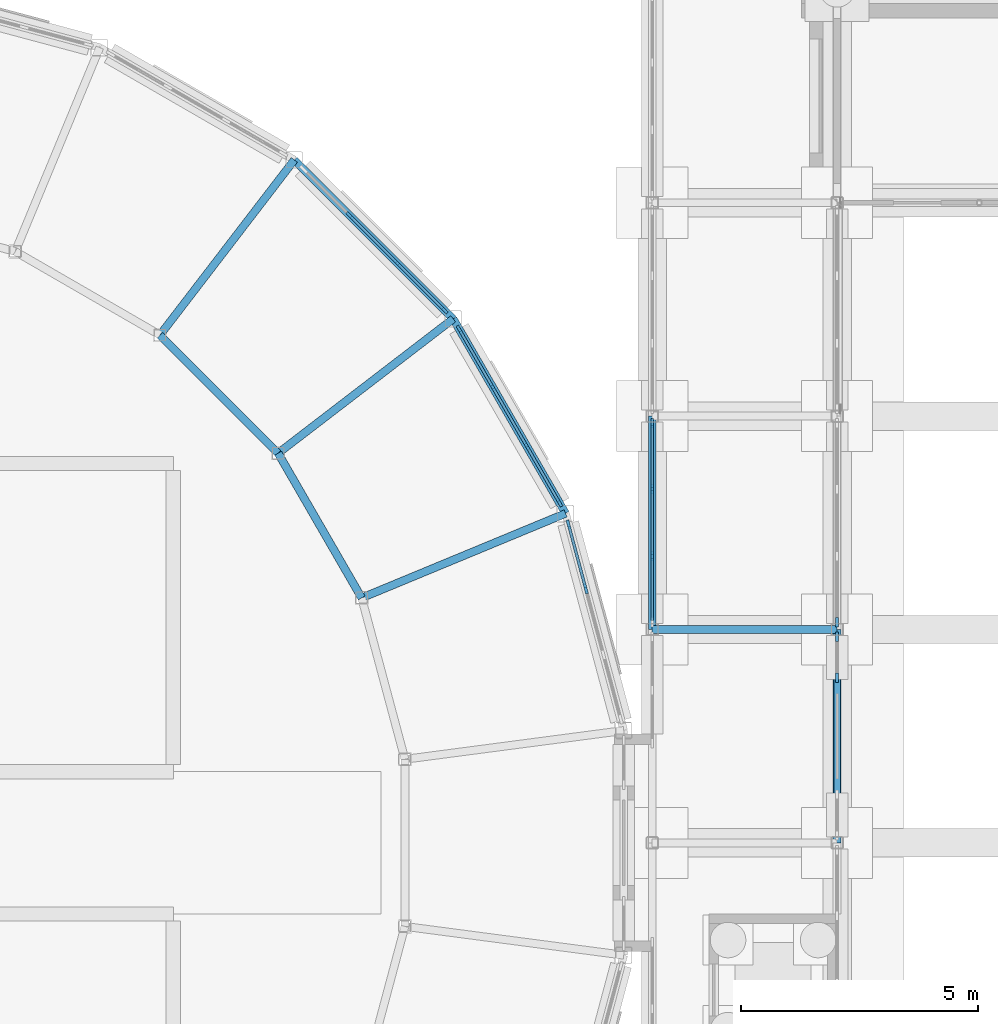
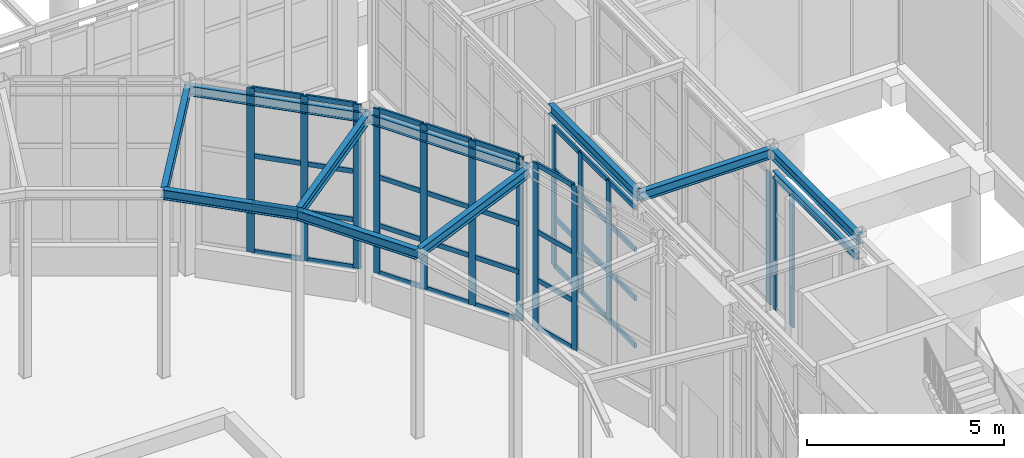
# One storey, part 44 of 106: 51 members, 11 beams, 6 elements without a shape of their own.
"""IFC4 building model written with IfcOpenShell, lengths in metres."""

import ifcopenshell
import ifcopenshell.guid

model = None  # the IFC model being written
_history = None  # IfcOwnerHistory: only IFC2X3 demands one
_inside = {}  # id of a spatial element -> (the spatial element, [elements in it])
_under = {}  # id of a project, library or spatial element -> (it, [spatial elements below it])
_declared = {}  # id of a project -> (the project, [libraries it declares])
_typed = {}  # id of a type object -> (the type object, [elements of that type])
_made_of = {}  # id of a material, layer set ... -> (it, [elements and type objects made of it])


def new_model(schema):
    """Start an empty IFC model of exactly this schema.

    Asked for "IFC4X3", IfcOpenShell would pick the latest addendum, in which some entities
    have other attributes; the version numbers below select the first issue.
    IFC2X3 requires an IfcOwnerHistory on every rooted entity: one is made here for all.
    """
    global model, _history
    if schema == "IFC4X3":
        model = ifcopenshell.file(schema_version=(4, 3, 0, 0))
    else:
        model = ifcopenshell.file(schema=schema)
    _inside.clear()
    _under.clear()
    _declared.clear()
    _typed.clear()
    _made_of.clear()
    _history = None
    if model.schema == "IFC2X3":
        org = make("IfcOrganization", Name="unknown")
        user = make(
            "IfcPersonAndOrganization",
            ThePerson=make("IfcPerson", FamilyName="unknown"),
            TheOrganization=org,
        )
        app = make(
            "IfcApplication",
            ApplicationDeveloper=org,
            Version="unknown",
            ApplicationFullName="unknown",
            ApplicationIdentifier="unknown",
        )
        _history = make(
            "IfcOwnerHistory",
            OwningUser=user,
            OwningApplication=app,
            ChangeAction="ADDED",
            CreationDate=0,
        )
    return model


def make(cls, **values):
    """One entity of the class cls with the attributes given. An attribute that is None is left unset."""
    return model.create_entity(
        cls, **{name: value for name, value in values.items() if value is not None}
    )


def rooted(cls, **values):
    """An entity with a GlobalId (a new one), such as an element, a storey or a relation."""
    return make(cls, GlobalId=ifcopenshell.guid.new(), OwnerHistory=_history, **values)


def si_unit(unit_type, name, prefix=None):
    """IfcSIUnit, for example si_unit("LENGTHUNIT", "METRE", prefix="MILLI")."""
    return make("IfcSIUnit", UnitType=unit_type, Prefix=prefix, Name=name)


def assignment(units):
    """IfcUnitAssignment: the units of a project."""
    return None if units is None else make("IfcUnitAssignment", Units=units)


def point(xyz):
    """IfcCartesianPoint."""
    return None if xyz is None else make("IfcCartesianPoint", Coordinates=xyz)


def direction(xyz):
    """IfcDirection."""
    return None if xyz is None else make("IfcDirection", DirectionRatios=xyz)


def frame(location, z_axis=None, x_axis=None):
    """IfcAxis2Placement3D, a coordinate frame: its origin and axes. An axis left out is left unset."""
    return make(
        "IfcAxis2Placement3D",
        Location=point(location),
        Axis=direction(z_axis),
        RefDirection=direction(x_axis),
    )


def frame_2d(location, x_axis=None):
    """IfcAxis2Placement2D, a coordinate frame in the plane: its origin and x axis."""
    return make(
        "IfcAxis2Placement2D", Location=point(location), RefDirection=direction(x_axis)
    )


def origin():
    """The frame at (0, 0, 0) with its axes left unset."""
    return frame((0.0, 0.0, 0.0))


def origin_2d():
    """The frame at (0, 0) in the plane with its x axis left unset."""
    return frame_2d((0.0, 0.0))


def place(relative_to, where):
    """IfcLocalPlacement: puts the frame where relative to a parent placement (None: the world)."""
    return make(
        "IfcLocalPlacement", PlacementRelTo=relative_to, RelativePlacement=where
    )


def context(
    kind, dimensions, precision=None, world=None, true_north=None, identifier=None
):
    """IfcGeometricRepresentationContext, for example the 3D "Model" context."""
    return make(
        "IfcGeometricRepresentationContext",
        ContextIdentifier=identifier,
        ContextType=kind,
        CoordinateSpaceDimension=dimensions,
        Precision=precision,
        WorldCoordinateSystem=world,
        TrueNorth=true_north,
    )


def subcontext(parent, identifier, kind, view, scale=None):
    """IfcGeometricRepresentationSubContext, for example "Body" below "Model"."""
    return make(
        "IfcGeometricRepresentationSubContext",
        ContextIdentifier=identifier,
        ContextType=kind,
        ParentContext=parent,
        TargetScale=scale,
        TargetView=view,
    )


def project(units=None, contexts=None):
    """IfcProject with its units and contexts."""
    return rooted(
        "IfcProject",
        Name="project",
        RepresentationContexts=contexts,
        UnitsInContext=assignment(units),
    )


def spatial(cls, under=None, at=None, **own):
    """A site, building, storey or space (cls), placed at a placement, below another one or the project."""
    s = rooted(cls, ObjectPlacement=at, **own)
    if under is not None:
        _under.setdefault(under.id(), (under, []))[1].append(s)
    return s


def profile(cls, at=None, kind="AREA", **sizes):
    """A parametric profile (cls). Its sizes go by their IFC names, for example OverallWidth=200.0."""
    return make(cls, ProfileType=kind, Position=at, **sizes)


def rectangle(**sizes):
    """IfcRectangleProfileDef."""
    return profile("IfcRectangleProfileDef", **sizes)


def i_section(**sizes):
    """IfcIShapeProfileDef."""
    return profile("IfcIShapeProfileDef", **sizes)


def extrude(swept, where, along, depth):
    """IfcExtrudedAreaSolid: the profile swept, set in the frame where, extruded along a direction by depth."""
    return make(
        "IfcExtrudedAreaSolid",
        SweptArea=swept,
        Position=where,
        ExtrudedDirection=direction(along),
        Depth=depth,
    )


def shape(context_of_items, identifier, shape_type, items):
    """IfcShapeRepresentation: the items that make up one representation, for example the "Body"."""
    return make(
        "IfcShapeRepresentation",
        ContextOfItems=context_of_items,
        RepresentationIdentifier=identifier,
        RepresentationType=shape_type,
        Items=items,
    )


def material(Name=None, Category=None):
    """IfcMaterial."""
    return make("IfcMaterial", Name=Name, Category=Category)


def layer(
    of_material, thickness, ventilated=None, Name=None, Category=None, Priority=None
):
    """IfcMaterialLayer: one layer of a wall or slab, of a material (None: an air gap)."""
    return make(
        "IfcMaterialLayer",
        Material=of_material,
        LayerThickness=thickness,
        IsVentilated=ventilated,
        Name=Name,
        Category=Category,
        Priority=Priority,
    )


def layer_set(layers, Name=None):
    """IfcMaterialLayerSet."""
    return make("IfcMaterialLayerSet", MaterialLayers=layers, LayerSetName=Name)


def material_profile(
    of_material, cross_section, Name=None, Category=None, Priority=None
):
    """IfcMaterialProfile: a cross section and its material."""
    return make(
        "IfcMaterialProfile",
        Name=Name,
        Material=of_material,
        Profile=cross_section,
        Priority=Priority,
        Category=Category,
    )


def profile_set(profiles, Name=None, composite=None):
    """IfcMaterialProfileSet."""
    return make(
        "IfcMaterialProfileSet",
        Name=Name,
        MaterialProfiles=profiles,
        CompositeProfile=composite,
    )


def made_of(thing, what):
    """Note that an element or type object is made of a material, layer set ...; save() writes the relation."""
    if what is not None:
        _made_of.setdefault(what.id(), (what, []))[1].append(thing)
    return thing


def type_object(cls, material=None, **own):
    """A type object (cls), such as IfcWallType, which elements share."""
    return made_of(rooted(cls, **own), material)


def element(
    cls,
    number,
    at=None,
    inside=None,
    cuts=None,
    type_object=None,
    material=None,
    context=None,
    identifier="Body",
    shape_type=None,
    held_by="IfcProductDefinitionShape",
    body=None,
    shapes=None,
    **own,
):
    """One element of the class cls, such as IfcWall. Its Tag is "e" and its number.

    at: its placement. inside: the storey or other place that contains it. cuts: it is an
    opening in that element (IfcRelVoidsElement). A single representation is given by context,
    identifier, shape_type and body (its items); several are given by shapes. held_by: the class
    of the entity that holds the representations. save() writes the other relations.
    """
    e = rooted(cls, Tag="e%d" % number, ObjectPlacement=at, **own)
    if body is not None:
        shapes = [shape(context, identifier, shape_type, body)]
    if shapes is not None:
        e.Representation = make(held_by, Representations=shapes)
    if inside is not None:
        _inside.setdefault(inside.id(), (inside, []))[1].append(e)
    if cuts is not None:
        rooted(
            "IfcRelVoidsElement", RelatingBuildingElement=cuts, RelatedOpeningElement=e
        )
    if type_object is not None:
        _typed.setdefault(type_object.id(), (type_object, []))[1].append(e)
    return made_of(e, material)


def aggregate(whole, parts):
    """IfcRelAggregates: a whole, such as a stair, and the parts it consists of."""
    return rooted("IfcRelAggregates", RelatingObject=whole, RelatedObjects=parts)


def save(model, path):
    """Write the relations noted so far, then the file.

    IfcRelAggregates (storeys below a building ...), IfcRelContainedInSpatialStructure (elements
    in a storey), IfcRelDefinesByType, IfcRelAssociatesMaterial and IfcRelDeclares: one each for
    every whole, place, type object, material and project.
    """
    for whole, parts in _under.values():
        aggregate(whole, parts)
    for where, things in _inside.values():
        rooted(
            "IfcRelContainedInSpatialStructure",
            RelatedElements=things,
            RelatingStructure=where,
        )
    for kind, things in _typed.values():
        rooted("IfcRelDefinesByType", RelatedObjects=things, RelatingType=kind)
    for what, things in _made_of.values():
        rooted("IfcRelAssociatesMaterial", RelatedObjects=things, RelatingMaterial=what)
    for by, libraries in _declared.values():
        rooted("IfcRelDeclares", RelatingContext=by, RelatedDefinitions=libraries)
    model.write(path)


model = new_model("IFC4")

# Units and contexts
model_context = context("Model", 3, precision=1e-05, world=origin(), true_north=direction((0.0, 1.0)))
body_context = subcontext(model_context, "Body", "Model", "MODEL_VIEW")
ifc_project = project(units=[si_unit("LENGTHUNIT", "METRE"), si_unit("AREAUNIT", "SQUARE_METRE"), si_unit("VOLUMEUNIT", "CUBIC_METRE"), si_unit("PLANEANGLEUNIT", "RADIAN"), si_unit("MASSUNIT", "GRAM", prefix="KILO")], contexts=[model_context])

# Site, building, storey
site_placement = place(None, origin())
site = spatial("IfcSite", under=ifc_project, at=site_placement, CompositionType="ELEMENT")
building_placement = place(site_placement, origin())
building = spatial("IfcBuilding", under=site, at=building_placement, Name="Hortulan Conservatory and Botanical Research Centre", CompositionType="ELEMENT")
storey_placement = place(building_placement, origin())
storey = spatial("IfcBuildingStorey", under=building, at=storey_placement, Name="L00", CompositionType="ELEMENT", Elevation=0.0)

# Curtain wall, members
ifc_material_1 = material(Name="Bronze-finished aluminium", Category="aluminium")
ifc_layer = layer(ifc_material_1, 0.10009765625)
ifc_layer_set = layer_set([ifc_layer], Name="Bronze-framed Curtain Wall 1500 module")
curtain_wall_type = type_object("IfcCurtainWallType", Name="Bronze-framed Curtain Wall 1500 module", PredefinedType="NOTDEFINED", material=ifc_layer_set)
curtain_wall_1_placement = place(storey_placement, origin())
curtain_wall_1 = element("IfcCurtainWall", 1, at=curtain_wall_1_placement, inside=storey, type_object=curtain_wall_type, Name="Curtain wall", PredefinedType="NOTDEFINED")
ifc_material_profile_1 = material_profile(ifc_material_1, rectangle(XDim=0.06005859375, YDim=0.199951171875, at=origin_2d()), Name="Bronze Mullion 60x200")
ifc_profile_set_1 = profile_set([ifc_material_profile_1], Name="Bronze-finished aluminium")
member_type_1 = type_object("IfcMemberType", Name="Bronze Mullion 60x200", PredefinedType="MULLION", material=ifc_profile_set_1)
member_1_placement = place(storey_placement, frame((70.83642578125, 24.7119140625, 0.89990234375), z_axis=(0.0, 0.0, 1.0), x_axis=(0.965922372015, 0.258831936284, 0.0)))
member_1 = element("IfcMember", 2, at=member_1_placement, type_object=member_type_1, Name="CW1 mullion 1", PredefinedType="MULLION", context=body_context, shape_type="SweptSolid", body=[
    extrude(rectangle(XDim=0.06005859375, YDim=0.199951171875, at=origin_2d()), origin(), (0.0, 0.0, 1.0), 5.10009765625),
])
member_2_placement = place(storey_placement, frame((71.20068359375, 23.35302734375, 0.89990234375), z_axis=(0.0, 0.0, 1.0), x_axis=(0.965922372015, 0.258831936284, 0.0)))
member_2 = element("IfcMember", 3, at=member_2_placement, type_object=member_type_1, Name="CW1 mullion 2", PredefinedType="MULLION", context=body_context, shape_type="SweptSolid", body=[
    extrude(rectangle(XDim=0.06005859375, YDim=0.199951171875, at=origin_2d()), origin(), (0.0, 0.0, 1.0), 5.10009765625),
])

curtain_wall_2_placement = place(storey_placement, origin())
curtain_wall_2 = element("IfcCurtainWall", 4, at=curtain_wall_2_placement, inside=storey, type_object=curtain_wall_type, Name="Curtain wall", PredefinedType="NOTDEFINED")
member_3_placement = place(storey_placement, frame((68.538330078125, 28.81884765625, 0.89990234375), z_axis=(0.0, 0.0, 1.0), x_axis=(0.866036280655, 0.499981160235, 0.0)))
member_3 = element("IfcMember", 5, at=member_3_placement, type_object=member_type_1, Name="CW1 mullion 1", PredefinedType="MULLION", context=body_context, shape_type="SweptSolid", body=[
    extrude(rectangle(XDim=0.06005859375, YDim=0.199951171875, at=origin_2d()), origin(), (0.0, 0.0, 1.0), 5.10009765625),
])
member_4_placement = place(storey_placement, frame((69.2333984375, 27.614990234375, 0.89990234375), z_axis=(0.0, 0.0, 1.0), x_axis=(0.866036280655, 0.499981160235, 0.0)))
member_4 = element("IfcMember", 6, at=member_4_placement, type_object=member_type_1, Name="CW1 mullion 2", PredefinedType="MULLION", context=body_context, shape_type="SweptSolid", body=[
    extrude(rectangle(XDim=0.06005859375, YDim=0.199951171875, at=origin_2d()), origin(), (0.0, 0.0, 1.0), 5.10009765625),
])
member_5_placement = place(storey_placement, frame((69.943603515625, 26.385009765625, 0.89990234375), z_axis=(0.0, 0.0, 1.0), x_axis=(0.866036280655, 0.499981160235, 0.0)))
member_5 = element("IfcMember", 7, at=member_5_placement, type_object=member_type_1, Name="CW1 mullion 3", PredefinedType="MULLION", context=body_context, shape_type="SweptSolid", body=[
    extrude(rectangle(XDim=0.06005859375, YDim=0.199951171875, at=origin_2d()), origin(), (0.0, 0.0, 1.0), 5.10009765625),
])
member_6_placement = place(storey_placement, frame((70.638671875, 25.18115234375, 0.89990234375), z_axis=(0.0, 0.0, 1.0), x_axis=(0.866036280655, 0.499981160235, 0.0)))
member_6 = element("IfcMember", 8, at=member_6_placement, type_object=member_type_1, Name="CW1 mullion 4", PredefinedType="MULLION", context=body_context, shape_type="SweptSolid", body=[
    extrude(rectangle(XDim=0.06005859375, YDim=0.199951171875, at=origin_2d()), origin(), (0.0, 0.0, 1.0), 5.10009765625),
])

curtain_wall_3_placement = place(storey_placement, origin())
curtain_wall_3 = element("IfcCurtainWall", 9, at=curtain_wall_3_placement, inside=storey, type_object=curtain_wall_type, Name="Curtain wall", PredefinedType="NOTDEFINED")
member_7_placement = place(storey_placement, frame((66.2275390625, 31.228271484375, 0.89990234375), z_axis=(0.0, 0.0, 1.0), x_axis=(0.707106781187, 0.707106781187, 0.0)))
member_7 = element("IfcMember", 10, at=member_7_placement, type_object=member_type_1, Name="CW1 mullion 2", PredefinedType="MULLION", context=body_context, shape_type="SweptSolid", body=[
    extrude(rectangle(XDim=0.06005859375, YDim=0.199951171875, at=origin_2d()), origin(), (0.0, 0.0, 1.0), 5.10009765625),
])
member_8_placement = place(storey_placement, frame((67.228271484375, 30.2275390625, 0.89990234375), z_axis=(0.0, 0.0, 1.0), x_axis=(0.707106781187, 0.707106781187, 0.0)))
member_8 = element("IfcMember", 11, at=member_8_placement, type_object=member_type_1, Name="CW1 mullion 3", PredefinedType="MULLION", context=body_context, shape_type="SweptSolid", body=[
    extrude(rectangle(XDim=0.06005859375, YDim=0.199951171875, at=origin_2d()), origin(), (0.0, 0.0, 1.0), 5.10009765625),
])
member_9_placement = place(storey_placement, frame((68.207763671875, 29.248291015625, 0.89990234375), z_axis=(0.0, 0.0, 1.0), x_axis=(0.707106781187, 0.707106781187, 0.0)))
member_9 = element("IfcMember", 12, at=member_9_placement, type_object=member_type_1, Name="CW1 mullion 4", PredefinedType="MULLION", context=body_context, shape_type="SweptSolid", body=[
    extrude(rectangle(XDim=0.06005859375, YDim=0.199951171875, at=origin_2d()), origin(), (0.0, 0.0, 1.0), 5.10009765625),
])

curtain_wall_4_placement = place(storey_placement, origin())
curtain_wall_4 = element("IfcCurtainWall", 13, at=curtain_wall_4_placement, inside=storey, type_object=curtain_wall_type, Name="Curtain wall", PredefinedType="NOTDEFINED")
member_10_placement = place(storey_placement, frame((72.60009765625, 24.041748046875, 0.89990234375), z_axis=(0.0, 0.0, 1.0), x_axis=(-1.0, 0.0, 0.0)))
member_10 = element("IfcMember", 14, at=member_10_placement, type_object=member_type_1, Name="CW1 mullion 2", PredefinedType="MULLION", context=body_context, shape_type="SweptSolid", body=[
    extrude(rectangle(XDim=0.06005859375, YDim=0.199951171875, at=origin_2d()), origin(), (0.0, 0.0, 1.0), 4.340087890625),
])
member_11_placement = place(storey_placement, frame((72.60009765625, 25.458251953125, 0.89990234375), z_axis=(0.0, 0.0, 1.0), x_axis=(-1.0, 0.0, 0.0)))
member_11 = element("IfcMember", 15, at=member_11_placement, type_object=member_type_1, Name="CW1 mullion 3", PredefinedType="MULLION", context=body_context, shape_type="SweptSolid", body=[
    extrude(rectangle(XDim=0.06005859375, YDim=0.199951171875, at=origin_2d()), origin(), (0.0, 0.0, 1.0), 4.340087890625),
])
member_12_placement = place(storey_placement, frame((72.60009765625, 26.844970703125, 0.89990234375), z_axis=(0.0, 0.0, 1.0), x_axis=(-1.0, 0.0, 0.0)))
member_12 = element("IfcMember", 16, at=member_12_placement, type_object=member_type_1, Name="CW1 mullion 4", PredefinedType="MULLION", context=body_context, shape_type="SweptSolid", body=[
    extrude(rectangle(XDim=0.06005859375, YDim=0.199951171875, at=origin_2d()), origin(), (0.0, 0.0, 1.0), 4.340087890625),
])

# Curtain wall, member
curtain_wall_5_placement = place(storey_placement, origin())
curtain_wall_5 = element("IfcCurtainWall", 17, at=curtain_wall_5_placement, inside=storey, type_object=curtain_wall_type, Name="Curtain wall", PredefinedType="NOTDEFINED")
member_13_placement = place(storey_placement, frame((76.5, 22.655029296875, 0.89990234375), z_axis=(0.0, 0.0, 1.0), x_axis=(1.0, 0.0, 0.0)))
member_13 = element("IfcMember", 18, at=member_13_placement, type_object=member_type_1, Name="CW1 mullion 4", PredefinedType="MULLION", context=body_context, shape_type="SweptSolid", body=[
    extrude(rectangle(XDim=0.06005859375, YDim=0.199951171875, at=origin_2d()), origin(), (0.0, 0.0, 1.0), 4.10009765625),
])
aggregate(curtain_wall_5, [member_13])

# Curtain wall, members
curtain_wall_6_placement = place(storey_placement, origin())
curtain_wall_6 = element("IfcCurtainWall", 19, at=curtain_wall_6_placement, inside=storey, type_object=curtain_wall_type, Name="Curtain wall", PredefinedType="NOTDEFINED")
member_14_placement = place(storey_placement, frame((76.5, 22.344970703125, 0.89990234375), z_axis=(0.0, 0.0, 1.0), x_axis=(1.0, 0.0, 0.0)))
member_14 = element("IfcMember", 20, at=member_14_placement, type_object=member_type_1, Name="CW1 mullion 1", PredefinedType="MULLION", context=body_context, shape_type="SweptSolid", body=[
    extrude(rectangle(XDim=0.06005859375, YDim=0.199951171875, at=origin_2d()), origin(), (0.0, 0.0, 1.0), 4.10009765625),
])
member_15_placement = place(storey_placement, frame((76.5, 21.47998046875, 0.89990234375), z_axis=(0.0, 0.0, 1.0), x_axis=(1.0, 0.0, 0.0)))
member_15 = element("IfcMember", 21, at=member_15_placement, type_object=member_type_1, Name="CW1 mullion 2", PredefinedType="MULLION", context=body_context, shape_type="SweptSolid", body=[
    extrude(rectangle(XDim=0.06005859375, YDim=0.199951171875, at=origin_2d()), origin(), (0.0, 0.0, 1.0), 4.10009765625),
])
aggregate(curtain_wall_6, [member_14, member_15])

# Member
ifc_material_profile_2 = material_profile(ifc_material_1, rectangle(XDim=0.06005859375, YDim=0.14990234375, at=origin_2d()), Name="Bronze Transom 60x150")
ifc_profile_set_2 = profile_set([ifc_material_profile_2], Name="Bronze-finished aluminium")
member_type_2 = type_object("IfcMemberType", Name="Bronze Transom 60x150", PredefinedType="USERDEFINED", material=ifc_profile_set_2)
member_16_placement = place(storey_placement, frame((70.84423828125, 24.68310546875, 0.929931640625), z_axis=(0.258835745824, -0.965921351189, 0.0), x_axis=(0.965921351189, 0.258835745824, 0.0)))
member_16 = element("IfcMember", 22, at=member_16_placement, type_object=member_type_2, Name="CW1 transom 1.1", ObjectType="TRANSOM", PredefinedType="USERDEFINED", context=body_context, shape_type="SweptSolid", body=[
    extrude(rectangle(XDim=0.06005859375, YDim=0.14990234375, at=origin_2d()), origin(), (0.0, 0.0, 1.0), 1.346923828125),
])

member_17_placement = place(storey_placement, frame((70.84423828125, 24.68310546875, 2.39990234375), z_axis=(0.258835745824, -0.965921351189, 0.0), x_axis=(0.965921351189, 0.258835745824, 0.0)))
member_17 = element("IfcMember", 23, at=member_17_placement, type_object=member_type_2, Name="CW1 transom 1.2", ObjectType="TRANSOM", PredefinedType="USERDEFINED", context=body_context, shape_type="SweptSolid", body=[
    extrude(rectangle(XDim=0.06005859375, YDim=0.14990234375, at=origin_2d()), origin(), (0.0, 0.0, 1.0), 1.346923828125),
])

member_18_placement = place(storey_placement, frame((70.84423828125, 24.68310546875, 3.89990234375), z_axis=(0.258835745824, -0.965921351189, 0.0), x_axis=(0.965921351189, 0.258835745824, 0.0)))
member_18 = element("IfcMember", 24, at=member_18_placement, type_object=member_type_2, Name="CW1 transom 1.3", ObjectType="TRANSOM", PredefinedType="USERDEFINED", context=body_context, shape_type="SweptSolid", body=[
    extrude(rectangle(XDim=0.06005859375, YDim=0.14990234375, at=origin_2d()), origin(), (0.0, 0.0, 1.0), 1.346923828125),
])

member_19_placement = place(storey_placement, frame((70.84423828125, 24.68310546875, 5.969970703125), z_axis=(0.258835745824, -0.965921351189, 0.0), x_axis=(0.965921351189, 0.258835745824, 0.0)))
member_19 = element("IfcMember", 25, at=member_19_placement, type_object=member_type_2, Name="CW1 transom 1.4", ObjectType="TRANSOM", PredefinedType="USERDEFINED", context=body_context, shape_type="SweptSolid", body=[
    extrude(rectangle(XDim=0.06005859375, YDim=0.14990234375, at=origin_2d()), origin(), (0.0, 0.0, 1.0), 1.346923828125),
])

aggregate(curtain_wall_1, [member_1, member_2, member_16, member_17, member_18, member_19])

member_20_placement = place(storey_placement, frame((68.553466796875, 28.79296875, 0.929931640625), z_axis=(0.499928984136, -0.866066400931, 0.0), x_axis=(0.866066400931, 0.499928984136, 0.0)))
member_20 = element("IfcMember", 26, at=member_20_placement, type_object=member_type_2, Name="CW1 transom 1.1", ObjectType="TRANSOM", PredefinedType="USERDEFINED", context=body_context, shape_type="SweptSolid", body=[
    extrude(rectangle(XDim=0.06005859375, YDim=0.14990234375, at=origin_2d()), origin(), (0.0, 0.0, 1.0), 1.330322265625),
])

member_21_placement = place(storey_placement, frame((68.553466796875, 28.79296875, 2.39990234375), z_axis=(0.499928984136, -0.866066400931, 0.0), x_axis=(0.866066400931, 0.499928984136, 0.0)))
member_21 = element("IfcMember", 27, at=member_21_placement, type_object=member_type_2, Name="CW1 transom 1.2", ObjectType="TRANSOM", PredefinedType="USERDEFINED", context=body_context, shape_type="SweptSolid", body=[
    extrude(rectangle(XDim=0.06005859375, YDim=0.14990234375, at=origin_2d()), origin(), (0.0, 0.0, 1.0), 1.330322265625),
])

member_22_placement = place(storey_placement, frame((68.553466796875, 28.79296875, 3.89990234375), z_axis=(0.499928984136, -0.866066400931, 0.0), x_axis=(0.866066400931, 0.499928984136, 0.0)))
member_22 = element("IfcMember", 28, at=member_22_placement, type_object=member_type_2, Name="CW1 transom 1.3", ObjectType="TRANSOM", PredefinedType="USERDEFINED", context=body_context, shape_type="SweptSolid", body=[
    extrude(rectangle(XDim=0.06005859375, YDim=0.14990234375, at=origin_2d()), origin(), (0.0, 0.0, 1.0), 1.330322265625),
])

member_23_placement = place(storey_placement, frame((68.553466796875, 28.79296875, 5.969970703125), z_axis=(0.499928984136, -0.866066400931, 0.0), x_axis=(0.866066400931, 0.499928984136, 0.0)))
member_23 = element("IfcMember", 29, at=member_23_placement, type_object=member_type_2, Name="CW1 transom 1.4", ObjectType="TRANSOM", PredefinedType="USERDEFINED", context=body_context, shape_type="SweptSolid", body=[
    extrude(rectangle(XDim=0.06005859375, YDim=0.14990234375, at=origin_2d()), origin(), (0.0, 0.0, 1.0), 1.330322265625),
])

member_24_placement = place(storey_placement, frame((69.24853515625, 27.5888671875, 0.929931640625), z_axis=(0.499981459473, -0.866036107898, 0.0), x_axis=(0.866036107898, 0.499981459473, 0.0)))
member_24 = element("IfcMember", 30, at=member_24_placement, type_object=member_type_2, Name="CW1 transom 2.1", ObjectType="TRANSOM", PredefinedType="USERDEFINED", context=body_context, shape_type="SweptSolid", body=[
    extrude(rectangle(XDim=0.06005859375, YDim=0.14990234375, at=origin_2d()), origin(), (0.0, 0.0, 1.0), 1.35986328125),
])

member_25_placement = place(storey_placement, frame((69.24853515625, 27.5888671875, 2.39990234375), z_axis=(0.499981459473, -0.866036107898, 0.0), x_axis=(0.866036107898, 0.499981459473, 0.0)))
member_25 = element("IfcMember", 31, at=member_25_placement, type_object=member_type_2, Name="CW1 transom 2.2", ObjectType="TRANSOM", PredefinedType="USERDEFINED", context=body_context, shape_type="SweptSolid", body=[
    extrude(rectangle(XDim=0.06005859375, YDim=0.14990234375, at=origin_2d()), origin(), (0.0, 0.0, 1.0), 1.35986328125),
])

member_26_placement = place(storey_placement, frame((69.24853515625, 27.5888671875, 3.89990234375), z_axis=(0.499981459473, -0.866036107898, 0.0), x_axis=(0.866036107898, 0.499981459473, 0.0)))
member_26 = element("IfcMember", 32, at=member_26_placement, type_object=member_type_2, Name="CW1 transom 2.3", ObjectType="TRANSOM", PredefinedType="USERDEFINED", context=body_context, shape_type="SweptSolid", body=[
    extrude(rectangle(XDim=0.06005859375, YDim=0.14990234375, at=origin_2d()), origin(), (0.0, 0.0, 1.0), 1.35986328125),
])

member_27_placement = place(storey_placement, frame((69.24853515625, 27.5888671875, 5.969970703125), z_axis=(0.499981459473, -0.866036107898, 0.0), x_axis=(0.866036107898, 0.499981459473, 0.0)))
member_27 = element("IfcMember", 33, at=member_27_placement, type_object=member_type_2, Name="CW1 transom 2.4", ObjectType="TRANSOM", PredefinedType="USERDEFINED", context=body_context, shape_type="SweptSolid", body=[
    extrude(rectangle(XDim=0.06005859375, YDim=0.14990234375, at=origin_2d()), origin(), (0.0, 0.0, 1.0), 1.35986328125),
])

member_28_placement = place(storey_placement, frame((69.95849609375, 26.359130859375, 0.929931640625), z_axis=(0.499928984136, -0.866066400931, 0.0), x_axis=(0.866066400931, 0.499928984136, 0.0)))
member_28 = element("IfcMember", 34, at=member_28_placement, type_object=member_type_2, Name="CW1 transom 3.1", ObjectType="TRANSOM", PredefinedType="USERDEFINED", context=body_context, shape_type="SweptSolid", body=[
    extrude(rectangle(XDim=0.06005859375, YDim=0.14990234375, at=origin_2d()), origin(), (0.0, 0.0, 1.0), 1.330322265625),
])

member_29_placement = place(storey_placement, frame((69.95849609375, 26.359130859375, 2.39990234375), z_axis=(0.499928984136, -0.866066400931, 0.0), x_axis=(0.866066400931, 0.499928984136, 0.0)))
member_29 = element("IfcMember", 35, at=member_29_placement, type_object=member_type_2, Name="CW1 transom 3.2", ObjectType="TRANSOM", PredefinedType="USERDEFINED", context=body_context, shape_type="SweptSolid", body=[
    extrude(rectangle(XDim=0.06005859375, YDim=0.14990234375, at=origin_2d()), origin(), (0.0, 0.0, 1.0), 1.330322265625),
])

member_30_placement = place(storey_placement, frame((69.95849609375, 26.359130859375, 3.89990234375), z_axis=(0.499928984136, -0.866066400931, 0.0), x_axis=(0.866066400931, 0.499928984136, 0.0)))
member_30 = element("IfcMember", 36, at=member_30_placement, type_object=member_type_2, Name="CW1 transom 3.3", ObjectType="TRANSOM", PredefinedType="USERDEFINED", context=body_context, shape_type="SweptSolid", body=[
    extrude(rectangle(XDim=0.06005859375, YDim=0.14990234375, at=origin_2d()), origin(), (0.0, 0.0, 1.0), 1.330322265625),
])

member_31_placement = place(storey_placement, frame((69.95849609375, 26.359130859375, 5.969970703125), z_axis=(0.499928984136, -0.866066400931, 0.0), x_axis=(0.866066400931, 0.499928984136, 0.0)))
member_31 = element("IfcMember", 37, at=member_31_placement, type_object=member_type_2, Name="CW1 transom 3.4", ObjectType="TRANSOM", PredefinedType="USERDEFINED", context=body_context, shape_type="SweptSolid", body=[
    extrude(rectangle(XDim=0.06005859375, YDim=0.14990234375, at=origin_2d()), origin(), (0.0, 0.0, 1.0), 1.330322265625),
])

aggregate(curtain_wall_2, [member_3, member_4, member_5, member_6, member_20, member_21, member_22, member_23, member_24, member_25, member_26, member_27, member_28, member_29, member_30, member_31])

member_32_placement = place(storey_placement, frame((66.248779296875, 31.20703125, 0.929931640625), z_axis=(0.707106781187, -0.707106781187, 0.0), x_axis=(0.707106781187, 0.707106781187, 0.0)))
member_32 = element("IfcMember", 38, at=member_32_placement, type_object=member_type_2, Name="CW1 transom 2.1", ObjectType="TRANSOM", PredefinedType="USERDEFINED", context=body_context, shape_type="SweptSolid", body=[
    extrude(rectangle(XDim=0.06005859375, YDim=0.14990234375, at=origin_2d()), origin(), (0.0, 0.0, 1.0), 1.355224609375),
])

member_33_placement = place(storey_placement, frame((66.248779296875, 31.20703125, 2.39990234375), z_axis=(0.707106781187, -0.707106781187, 0.0), x_axis=(0.707106781187, 0.707106781187, 0.0)))
member_33 = element("IfcMember", 39, at=member_33_placement, type_object=member_type_2, Name="CW1 transom 2.2", ObjectType="TRANSOM", PredefinedType="USERDEFINED", context=body_context, shape_type="SweptSolid", body=[
    extrude(rectangle(XDim=0.06005859375, YDim=0.14990234375, at=origin_2d()), origin(), (0.0, 0.0, 1.0), 1.355224609375),
])

member_34_placement = place(storey_placement, frame((66.248779296875, 31.20703125, 3.89990234375), z_axis=(0.707106781187, -0.707106781187, 0.0), x_axis=(0.707106781187, 0.707106781187, 0.0)))
member_34 = element("IfcMember", 40, at=member_34_placement, type_object=member_type_2, Name="CW1 transom 2.3", ObjectType="TRANSOM", PredefinedType="USERDEFINED", context=body_context, shape_type="SweptSolid", body=[
    extrude(rectangle(XDim=0.06005859375, YDim=0.14990234375, at=origin_2d()), origin(), (0.0, 0.0, 1.0), 1.355224609375),
])

member_35_placement = place(storey_placement, frame((66.248779296875, 31.20703125, 5.969970703125), z_axis=(0.707106781187, -0.707106781187, 0.0), x_axis=(0.707106781187, 0.707106781187, 0.0)))
member_35 = element("IfcMember", 41, at=member_35_placement, type_object=member_type_2, Name="CW1 transom 2.4", ObjectType="TRANSOM", PredefinedType="USERDEFINED", context=body_context, shape_type="SweptSolid", body=[
    extrude(rectangle(XDim=0.06005859375, YDim=0.14990234375, at=origin_2d()), origin(), (0.0, 0.0, 1.0), 1.355224609375),
])

member_36_placement = place(storey_placement, frame((67.24951171875, 30.206298828125, 0.929931640625), z_axis=(0.70719890636, -0.707014644009, 0.0), x_axis=(0.707014644009, 0.70719890636, 0.0)))
member_36 = element("IfcMember", 42, at=member_36_placement, type_object=member_type_2, Name="CW1 transom 3.1", ObjectType="TRANSOM", PredefinedType="USERDEFINED", context=body_context, shape_type="SweptSolid", body=[
    extrude(rectangle(XDim=0.06005859375, YDim=0.14990234375, at=origin_2d()), origin(), (0.0, 0.0, 1.0), 1.324951171875),
])

member_37_placement = place(storey_placement, frame((67.24951171875, 30.206298828125, 2.39990234375), z_axis=(0.70719890636, -0.707014644009, 0.0), x_axis=(0.707014644009, 0.70719890636, 0.0)))
member_37 = element("IfcMember", 43, at=member_37_placement, type_object=member_type_2, Name="CW1 transom 3.2", ObjectType="TRANSOM", PredefinedType="USERDEFINED", context=body_context, shape_type="SweptSolid", body=[
    extrude(rectangle(XDim=0.06005859375, YDim=0.14990234375, at=origin_2d()), origin(), (0.0, 0.0, 1.0), 1.324951171875),
])

member_38_placement = place(storey_placement, frame((67.24951171875, 30.206298828125, 3.89990234375), z_axis=(0.70719890636, -0.707014644009, 0.0), x_axis=(0.707014644009, 0.70719890636, 0.0)))
member_38 = element("IfcMember", 44, at=member_38_placement, type_object=member_type_2, Name="CW1 transom 3.3", ObjectType="TRANSOM", PredefinedType="USERDEFINED", context=body_context, shape_type="SweptSolid", body=[
    extrude(rectangle(XDim=0.06005859375, YDim=0.14990234375, at=origin_2d()), origin(), (0.0, 0.0, 1.0), 1.324951171875),
])

member_39_placement = place(storey_placement, frame((67.24951171875, 30.206298828125, 5.969970703125), z_axis=(0.70719890636, -0.707014644009, 0.0), x_axis=(0.707014644009, 0.70719890636, 0.0)))
member_39 = element("IfcMember", 45, at=member_39_placement, type_object=member_type_2, Name="CW1 transom 3.4", ObjectType="TRANSOM", PredefinedType="USERDEFINED", context=body_context, shape_type="SweptSolid", body=[
    extrude(rectangle(XDim=0.06005859375, YDim=0.14990234375, at=origin_2d()), origin(), (0.0, 0.0, 1.0), 1.324951171875),
])

aggregate(curtain_wall_3, [member_7, member_8, member_9, member_32, member_33, member_34, member_35, member_36, member_37, member_38, member_39])

member_40_placement = place(storey_placement, frame((72.60009765625, 22.68505859375, 0.929931640625), z_axis=(0.0, 1.0, 0.0), x_axis=(-1.0, 0.0, 0.0)))
member_40 = element("IfcMember", 46, at=member_40_placement, type_object=member_type_2, Name="CW1 transom 1.1", ObjectType="TRANSOM", PredefinedType="USERDEFINED", context=body_context, shape_type="SweptSolid", body=[
    extrude(rectangle(XDim=0.06005859375, YDim=0.14990234375, at=origin_2d()), origin(), (0.0, 0.0, 1.0), 1.32666015625),
])

member_41_placement = place(storey_placement, frame((72.60009765625, 22.68505859375, 2.39990234375), z_axis=(0.0, 1.0, 0.0), x_axis=(-1.0, 0.0, 0.0)))
member_41 = element("IfcMember", 47, at=member_41_placement, type_object=member_type_2, Name="CW1 transom 1.2", ObjectType="TRANSOM", PredefinedType="USERDEFINED", context=body_context, shape_type="SweptSolid", body=[
    extrude(rectangle(XDim=0.06005859375, YDim=0.14990234375, at=origin_2d()), origin(), (0.0, 0.0, 1.0), 1.32666015625),
])

member_42_placement = place(storey_placement, frame((72.60009765625, 22.68505859375, 3.89990234375), z_axis=(0.0, 1.0, 0.0), x_axis=(-1.0, 0.0, 0.0)))
member_42 = element("IfcMember", 48, at=member_42_placement, type_object=member_type_2, Name="CW1 transom 1.3", ObjectType="TRANSOM", PredefinedType="USERDEFINED", context=body_context, shape_type="SweptSolid", body=[
    extrude(rectangle(XDim=0.06005859375, YDim=0.14990234375, at=origin_2d()), origin(), (0.0, 0.0, 1.0), 1.32666015625),
])

member_43_placement = place(storey_placement, frame((72.60009765625, 22.68505859375, 5.2099609375), z_axis=(0.0, 1.0, 0.0), x_axis=(-1.0, 0.0, 0.0)))
member_43 = element("IfcMember", 49, at=member_43_placement, type_object=member_type_2, Name="CW1 transom 1.4", ObjectType="TRANSOM", PredefinedType="USERDEFINED", context=body_context, shape_type="SweptSolid", body=[
    extrude(rectangle(XDim=0.06005859375, YDim=0.14990234375, at=origin_2d()), origin(), (0.0, 0.0, 1.0), 1.32666015625),
])

member_44_placement = place(storey_placement, frame((72.60009765625, 24.07177734375, 0.929931640625), z_axis=(0.0, 1.0, 0.0), x_axis=(-1.0, 0.0, 0.0)))
member_44 = element("IfcMember", 50, at=member_44_placement, type_object=member_type_2, Name="CW1 transom 2.1", ObjectType="TRANSOM", PredefinedType="USERDEFINED", context=body_context, shape_type="SweptSolid", body=[
    extrude(rectangle(XDim=0.06005859375, YDim=0.14990234375, at=origin_2d()), origin(), (0.0, 0.0, 1.0), 1.3564453125),
])

member_45_placement = place(storey_placement, frame((72.60009765625, 24.07177734375, 2.39990234375), z_axis=(0.0, 1.0, 0.0), x_axis=(-1.0, 0.0, 0.0)))
member_45 = element("IfcMember", 51, at=member_45_placement, type_object=member_type_2, Name="CW1 transom 2.2", ObjectType="TRANSOM", PredefinedType="USERDEFINED", context=body_context, shape_type="SweptSolid", body=[
    extrude(rectangle(XDim=0.06005859375, YDim=0.14990234375, at=origin_2d()), origin(), (0.0, 0.0, 1.0), 1.3564453125),
])

member_46_placement = place(storey_placement, frame((72.60009765625, 24.07177734375, 3.89990234375), z_axis=(0.0, 1.0, 0.0), x_axis=(-1.0, 0.0, 0.0)))
member_46 = element("IfcMember", 52, at=member_46_placement, type_object=member_type_2, Name="CW1 transom 2.3", ObjectType="TRANSOM", PredefinedType="USERDEFINED", context=body_context, shape_type="SweptSolid", body=[
    extrude(rectangle(XDim=0.06005859375, YDim=0.14990234375, at=origin_2d()), origin(), (0.0, 0.0, 1.0), 1.3564453125),
])

member_47_placement = place(storey_placement, frame((72.60009765625, 24.07177734375, 5.2099609375), z_axis=(0.0, 1.0, 0.0), x_axis=(-1.0, 0.0, 0.0)))
member_47 = element("IfcMember", 53, at=member_47_placement, type_object=member_type_2, Name="CW1 transom 2.4", ObjectType="TRANSOM", PredefinedType="USERDEFINED", context=body_context, shape_type="SweptSolid", body=[
    extrude(rectangle(XDim=0.06005859375, YDim=0.14990234375, at=origin_2d()), origin(), (0.0, 0.0, 1.0), 1.3564453125),
])

member_48_placement = place(storey_placement, frame((72.60009765625, 25.48828125, 0.929931640625), z_axis=(0.0, 1.0, 0.0), x_axis=(-1.0, 0.0, 0.0)))
member_48 = element("IfcMember", 54, at=member_48_placement, type_object=member_type_2, Name="CW1 transom 3.1", ObjectType="TRANSOM", PredefinedType="USERDEFINED", context=body_context, shape_type="SweptSolid", body=[
    extrude(rectangle(XDim=0.06005859375, YDim=0.14990234375, at=origin_2d()), origin(), (0.0, 0.0, 1.0), 1.32666015625),
])

member_49_placement = place(storey_placement, frame((72.60009765625, 25.48828125, 2.39990234375), z_axis=(0.0, 1.0, 0.0), x_axis=(-1.0, 0.0, 0.0)))
member_49 = element("IfcMember", 55, at=member_49_placement, type_object=member_type_2, Name="CW1 transom 3.2", ObjectType="TRANSOM", PredefinedType="USERDEFINED", context=body_context, shape_type="SweptSolid", body=[
    extrude(rectangle(XDim=0.06005859375, YDim=0.14990234375, at=origin_2d()), origin(), (0.0, 0.0, 1.0), 1.32666015625),
])

member_50_placement = place(storey_placement, frame((72.60009765625, 25.48828125, 3.89990234375), z_axis=(0.0, 1.0, 0.0), x_axis=(-1.0, 0.0, 0.0)))
member_50 = element("IfcMember", 56, at=member_50_placement, type_object=member_type_2, Name="CW1 transom 3.3", ObjectType="TRANSOM", PredefinedType="USERDEFINED", context=body_context, shape_type="SweptSolid", body=[
    extrude(rectangle(XDim=0.06005859375, YDim=0.14990234375, at=origin_2d()), origin(), (0.0, 0.0, 1.0), 1.32666015625),
])

member_51_placement = place(storey_placement, frame((72.60009765625, 25.48828125, 5.2099609375), z_axis=(0.0, 1.0, 0.0), x_axis=(-1.0, 0.0, 0.0)))
member_51 = element("IfcMember", 57, at=member_51_placement, type_object=member_type_2, Name="CW1 transom 3.4", ObjectType="TRANSOM", PredefinedType="USERDEFINED", context=body_context, shape_type="SweptSolid", body=[
    extrude(rectangle(XDim=0.06005859375, YDim=0.14990234375, at=origin_2d()), origin(), (0.0, 0.0, 1.0), 1.32666015625),
])

aggregate(curtain_wall_4, [member_10, member_11, member_12, member_40, member_41, member_42, member_43, member_44, member_45, member_46, member_47, member_48, member_49, member_50, member_51])

# Beams
ifc_material_2 = material(Name="Steel Grade 300PLUS (AS/NZS 3679.1, 280 MPa minimum yield)", Category="steel")
ifc_material_profile_3 = material_profile(ifc_material_2, i_section(OverallWidth=0.134033203125, OverallDepth=0.20703125, WebThickness=0.00634765625, FlangeThickness=0.009521484375, FilletRadius=0.0087890625, at=origin_2d()), Name="200UB29.8")
ifc_profile_set_3 = profile_set([ifc_material_profile_3], Name="Steel Grade 300PLUS (AS/NZS 3679.1, 280 MPa minimum yield)")
beam_type_1 = type_object("IfcBeamType", Name="Climate House Eaves Beam 200UB29.8", PredefinedType="BEAM", material=ifc_profile_set_3)
beam_1_placement = place(storey_placement, frame((76.5, 18.125, 5.103515625), z_axis=(0.0, 1.0, 0.0), x_axis=(-1.0, 0.0, 0.0)))
element("IfcBeam", 58, at=beam_1_placement, inside=storey, type_object=beam_type_1, Name="Climate house eaves beam line 1 bay 5", PredefinedType="BEAM", context=body_context, shape_type="SweptSolid", body=[
    extrude(i_section(OverallWidth=0.134033203125, OverallDepth=0.20703125, WebThickness=0.00634765625, FlangeThickness=0.009521484375, FilletRadius=0.0087890625, at=origin_2d()), origin(), (0.0, 0.0, 1.0), 4.25),
])
ifc_material_profile_4 = material_profile(ifc_material_2, i_section(OverallWidth=0.166015625, OverallDepth=0.306884765625, WebThickness=0.006591796875, FlangeThickness=0.01171875, FilletRadius=0.011474609375, at=origin_2d()), Name="310UB46.2")
ifc_profile_set_4 = profile_set([ifc_material_profile_4], Name="Steel Grade 300PLUS (AS/NZS 3679.1, 280 MPa minimum yield)")
beam_type_2 = type_object("IfcBeamType", Name="Dome Canopy Walk Beam 310UB46.2", PredefinedType="BEAM", material=ifc_profile_set_4)
for number, where, z_axis, x_axis, name in (
    (59, (66.472412109375, 23.166259765625, 5.646484375), (0.92387556656, 0.382693006879, 0.0), (-0.382693006879, 0.92387556656, 0.0), "Canopy walk radial beam 02"),
    (60, (64.710205078125, 26.21826171875, 5.646484375), (0.79335644737, 0.608757379764, 0.0), (-0.608757379764, 0.79335644737, 0.0), "Canopy walk radial beam 03"),
    (61, (62.21826171875, 28.710205078125, 5.646484375), (0.608757379764, 0.79335644737, 0.0), (-0.79335644737, 0.608757379764, 0.0), "Canopy walk radial beam 04"),
):
    element("IfcBeam", number, at=place(storey_placement, frame(where, z_axis=z_axis, x_axis=x_axis)), inside=storey, type_object=beam_type_2, Name=name, PredefinedType="BEAM", context=body_context, shape_type="SweptSolid", body=[
        extrude(i_section(OverallWidth=0.166015625, OverallDepth=0.306884765625, WebThickness=0.006591796875, FlangeThickness=0.01171875, FilletRadius=0.011474609375, at=origin_2d()), origin(), (0.0, 0.0, 1.0), 4.6552734375),
    ])
for number, where, z_axis, x_axis, name in (
    (62, (70.773193359375, 24.94775390625, 5.646484375), (-0.4999840544, 0.866034609785, 0.0), (-0.866034609785, -0.4999840544, 0.0), "Canopy walk edge beam 02"),
    (63, (68.403564453125, 29.05224609375, 5.646484375), (-0.707106781187, 0.707106781187, 0.0), (-0.707106781187, -0.707106781187, 0.0), "Canopy walk edge beam 03"),
):
    element("IfcBeam", number, at=place(storey_placement, frame(where, z_axis=z_axis, x_axis=x_axis)), inside=storey, type_object=beam_type_2, Name=name, PredefinedType="BEAM", context=body_context, shape_type="SweptSolid", body=[
        extrude(i_section(OverallWidth=0.166015625, OverallDepth=0.306884765625, WebThickness=0.006591796875, FlangeThickness=0.01171875, FilletRadius=0.011474609375, at=origin_2d()), origin(), (0.0, 0.0, 1.0), 4.739501953125),
    ])
for number, where, z_axis, x_axis, name in (
    (64, (66.472412109375, 23.166259765625, 5.646484375), (-0.500028278809, 0.866009076391, 0.0), (-0.866009076391, -0.500028278809, 0.0), "Canopy walk inner beam 02"),
    (65, (64.710205078125, 26.21826171875, 5.646484375), (-0.707106781187, 0.707106781187, 0.0), (-0.707106781187, -0.707106781187, 0.0), "Canopy walk inner beam 03"),
):
    element("IfcBeam", number, at=place(storey_placement, frame(where, z_axis=z_axis, x_axis=x_axis)), inside=storey, type_object=beam_type_2, Name=name, PredefinedType="BEAM", context=body_context, shape_type="SweptSolid", body=[
        extrude(i_section(OverallWidth=0.166015625, OverallDepth=0.306884765625, WebThickness=0.006591796875, FlangeThickness=0.01171875, FilletRadius=0.011474609375, at=origin_2d()), origin(), (0.0, 0.0, 1.0), 3.524169921875),
    ])
ifc_material_profile_5 = material_profile(ifc_material_2, i_section(OverallWidth=0.1650390625, OverallDepth=0.303955078125, WebThickness=0.006103515625, FlangeThickness=0.01025390625, FilletRadius=0.011474609375, at=origin_2d()), Name="310UB40.4")
ifc_profile_set_5 = profile_set([ifc_material_profile_5], Name="Steel Grade 300PLUS (AS/NZS 3679.1, 280 MPa minimum yield)")
beam_type_3 = type_object("IfcBeamType", Name="Head Link Beam 310UB40.4", PredefinedType="BEAM", material=ifc_profile_set_5)
beam_2_placement = place(storey_placement, frame((72.60009765625, 22.5, 5.697998046875), z_axis=(1.0, 0.0, 0.0), x_axis=(0.0, 1.0, 0.0)))
element("IfcBeam", 66, at=beam_2_placement, inside=storey, type_object=beam_type_3, Name="HE floor beam 1", PredefinedType="BEAM", context=body_context, shape_type="SweptSolid", body=[
    extrude(i_section(OverallWidth=0.1650390625, OverallDepth=0.303955078125, WebThickness=0.006103515625, FlangeThickness=0.01025390625, FilletRadius=0.011474609375, at=origin_2d()), origin(), (0.0, 0.0, 1.0), 3.89990234375),
])
for number, where, z_axis, x_axis, name in (
    (67, (76.5, 18.0, 5.697998046875), (0.0, 1.0, 0.0), (-1.0, 0.0, 0.0), "HE floor beam 4"),
    (68, (72.60009765625, 22.5, 5.697998046875), (0.0, 1.0, 0.0), (-1.0, 0.0, 0.0), "HE passage beam 1"),
):
    element("IfcBeam", number, at=place(storey_placement, frame(where, z_axis=z_axis, x_axis=x_axis)), inside=storey, type_object=beam_type_3, Name=name, PredefinedType="BEAM", context=body_context, shape_type="SweptSolid", body=[
        extrude(i_section(OverallWidth=0.1650390625, OverallDepth=0.303955078125, WebThickness=0.006103515625, FlangeThickness=0.01025390625, FilletRadius=0.011474609375, at=origin_2d()), origin(), (0.0, 0.0, 1.0), 4.5),
    ])

save(model, "model.ifc")
